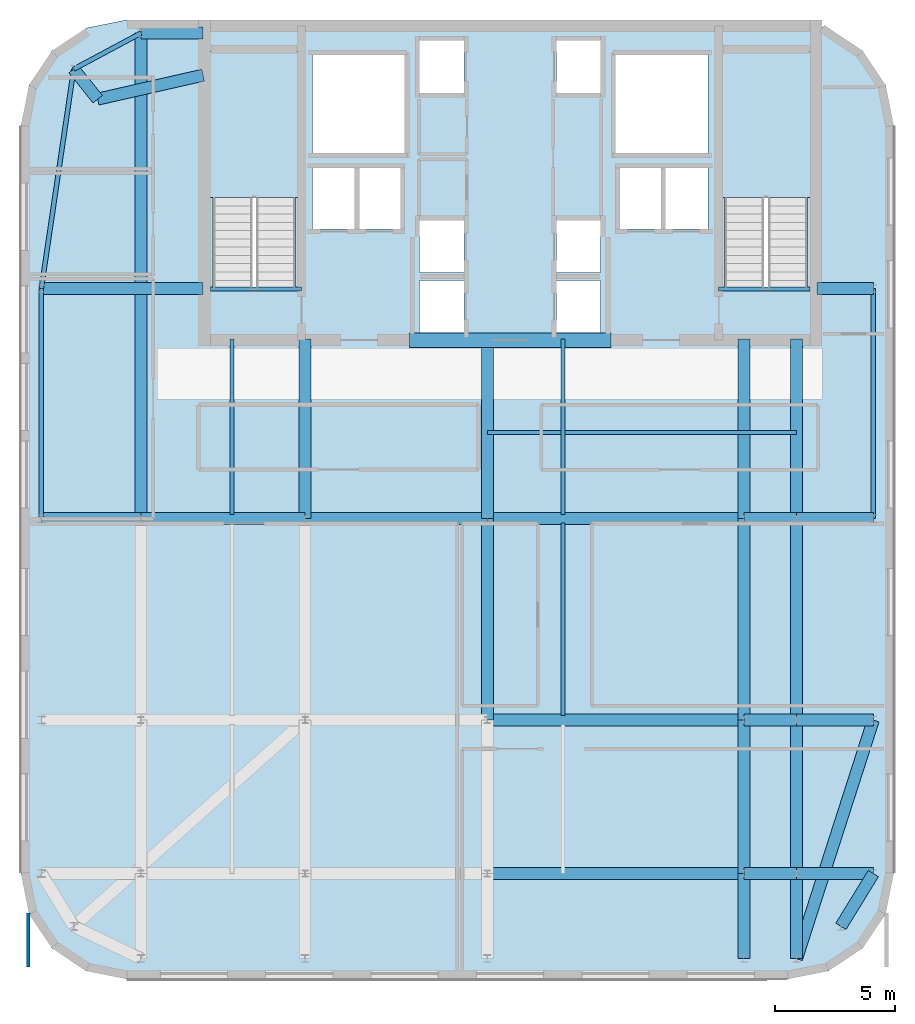
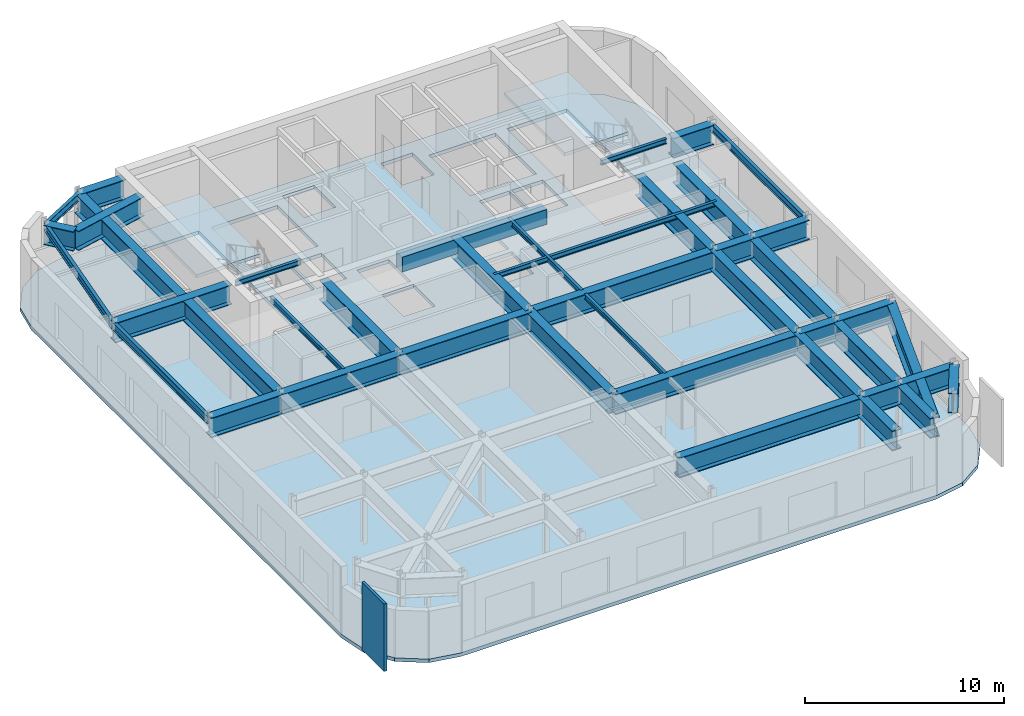
# One storey, part 5 of 13: 42 beams, 3 slabs, 1 wall, 2 elements without a shape of their own.
"""IFC4 building model written with IfcOpenShell, lengths in metres."""

import ifcopenshell
import ifcopenshell.guid

model = None  # the IFC model being written
_history = None  # IfcOwnerHistory: only IFC2X3 demands one
_inside = {}  # id of a spatial element -> (the spatial element, [elements in it])
_under = {}  # id of a project, library or spatial element -> (it, [spatial elements below it])
_declared = {}  # id of a project -> (the project, [libraries it declares])
_typed = {}  # id of a type object -> (the type object, [elements of that type])
_made_of = {}  # id of a material, layer set ... -> (it, [elements and type objects made of it])


def new_model(schema):
    """Start an empty IFC model of exactly this schema.

    Asked for "IFC4X3", IfcOpenShell would pick the latest addendum, in which some entities
    have other attributes; the version numbers below select the first issue.
    IFC2X3 requires an IfcOwnerHistory on every rooted entity: one is made here for all.
    """
    global model, _history
    if schema == "IFC4X3":
        model = ifcopenshell.file(schema_version=(4, 3, 0, 0))
    else:
        model = ifcopenshell.file(schema=schema)
    _inside.clear()
    _under.clear()
    _declared.clear()
    _typed.clear()
    _made_of.clear()
    _history = None
    if model.schema == "IFC2X3":
        org = make("IfcOrganization", Name="unknown")
        user = make(
            "IfcPersonAndOrganization",
            ThePerson=make("IfcPerson", FamilyName="unknown"),
            TheOrganization=org,
        )
        app = make(
            "IfcApplication",
            ApplicationDeveloper=org,
            Version="unknown",
            ApplicationFullName="unknown",
            ApplicationIdentifier="unknown",
        )
        _history = make(
            "IfcOwnerHistory",
            OwningUser=user,
            OwningApplication=app,
            ChangeAction="ADDED",
            CreationDate=0,
        )
    return model


def make(cls, **values):
    """One entity of the class cls with the attributes given. An attribute that is None is left unset."""
    return model.create_entity(
        cls, **{name: value for name, value in values.items() if value is not None}
    )


def rooted(cls, **values):
    """An entity with a GlobalId (a new one), such as an element, a storey or a relation."""
    return make(cls, GlobalId=ifcopenshell.guid.new(), OwnerHistory=_history, **values)


def si_unit(unit_type, name, prefix=None):
    """IfcSIUnit, for example si_unit("LENGTHUNIT", "METRE", prefix="MILLI")."""
    return make("IfcSIUnit", UnitType=unit_type, Prefix=prefix, Name=name)


def assignment(units):
    """IfcUnitAssignment: the units of a project."""
    return None if units is None else make("IfcUnitAssignment", Units=units)


def point(xyz):
    """IfcCartesianPoint."""
    return None if xyz is None else make("IfcCartesianPoint", Coordinates=xyz)


def direction(xyz):
    """IfcDirection."""
    return None if xyz is None else make("IfcDirection", DirectionRatios=xyz)


def frame(location, z_axis=None, x_axis=None):
    """IfcAxis2Placement3D, a coordinate frame: its origin and axes. An axis left out is left unset."""
    return make(
        "IfcAxis2Placement3D",
        Location=point(location),
        Axis=direction(z_axis),
        RefDirection=direction(x_axis),
    )


def frame_2d(location, x_axis=None):
    """IfcAxis2Placement2D, a coordinate frame in the plane: its origin and x axis."""
    return make(
        "IfcAxis2Placement2D", Location=point(location), RefDirection=direction(x_axis)
    )


def origin():
    """The frame at (0, 0, 0) with its axes left unset."""
    return frame((0.0, 0.0, 0.0))


def origin_2d():
    """The frame at (0, 0) in the plane with its x axis left unset."""
    return frame_2d((0.0, 0.0))


def place(relative_to, where):
    """IfcLocalPlacement: puts the frame where relative to a parent placement (None: the world)."""
    return make(
        "IfcLocalPlacement", PlacementRelTo=relative_to, RelativePlacement=where
    )


def context(
    kind, dimensions, precision=None, world=None, true_north=None, identifier=None
):
    """IfcGeometricRepresentationContext, for example the 3D "Model" context."""
    return make(
        "IfcGeometricRepresentationContext",
        ContextIdentifier=identifier,
        ContextType=kind,
        CoordinateSpaceDimension=dimensions,
        Precision=precision,
        WorldCoordinateSystem=world,
        TrueNorth=true_north,
    )


def subcontext(parent, identifier, kind, view, scale=None):
    """IfcGeometricRepresentationSubContext, for example "Body" below "Model"."""
    return make(
        "IfcGeometricRepresentationSubContext",
        ContextIdentifier=identifier,
        ContextType=kind,
        ParentContext=parent,
        TargetScale=scale,
        TargetView=view,
    )


def project(units=None, contexts=None):
    """IfcProject with its units and contexts."""
    return rooted(
        "IfcProject",
        Name="project",
        RepresentationContexts=contexts,
        UnitsInContext=assignment(units),
    )


def spatial(cls, under=None, at=None, **own):
    """A site, building, storey or space (cls), placed at a placement, below another one or the project."""
    s = rooted(cls, ObjectPlacement=at, **own)
    if under is not None:
        _under.setdefault(under.id(), (under, []))[1].append(s)
    return s


def polyline(points):
    """IfcPolyline through the points."""
    return make("IfcPolyline", Points=[point(p) for p in points])


def profile(cls, at=None, kind="AREA", **sizes):
    """A parametric profile (cls). Its sizes go by their IFC names, for example OverallWidth=200.0."""
    return make(cls, ProfileType=kind, Position=at, **sizes)


def rectangle(**sizes):
    """IfcRectangleProfileDef."""
    return profile("IfcRectangleProfileDef", **sizes)


def i_section(**sizes):
    """IfcIShapeProfileDef."""
    return profile("IfcIShapeProfileDef", **sizes)


def outline(outer, holes=None, kind="AREA"):
    """IfcArbitraryClosedProfileDef: a profile drawn as a closed curve; with holes, ...WithVoids."""
    if holes is None:
        return make("IfcArbitraryClosedProfileDef", ProfileType=kind, OuterCurve=outer)
    return make(
        "IfcArbitraryProfileDefWithVoids",
        ProfileType=kind,
        OuterCurve=outer,
        InnerCurves=holes,
    )


def extrude(swept, where, along, depth):
    """IfcExtrudedAreaSolid: the profile swept, set in the frame where, extruded along a direction by depth."""
    return make(
        "IfcExtrudedAreaSolid",
        SweptArea=swept,
        Position=where,
        ExtrudedDirection=direction(along),
        Depth=depth,
    )


def shape(context_of_items, identifier, shape_type, items):
    """IfcShapeRepresentation: the items that make up one representation, for example the "Body"."""
    return make(
        "IfcShapeRepresentation",
        ContextOfItems=context_of_items,
        RepresentationIdentifier=identifier,
        RepresentationType=shape_type,
        Items=items,
    )


def source(mapping_origin, context_of_items, identifier, shape_type, items):
    """IfcRepresentationMap: a shape defined once, which mapped items show again and again."""
    return make(
        "IfcRepresentationMap",
        MappingOrigin=mapping_origin,
        MappedRepresentation=shape(context_of_items, identifier, shape_type, items),
    )


def transform(
    local_origin,
    x_axis=None,
    y_axis=None,
    z_axis=None,
    scale=None,
    scale2=None,
    scale3=None,
    uniform=True,
):
    """IfcCartesianTransformationOperator3D, or its non-uniform kind. x_axis, y_axis, z_axis: its Axis1, 2, 3."""
    if uniform:
        return make(
            "IfcCartesianTransformationOperator3D",
            Axis1=direction(x_axis),
            Axis2=direction(y_axis),
            LocalOrigin=point(local_origin),
            Scale=scale,
            Axis3=direction(z_axis),
        )
    return make(
        "IfcCartesianTransformationOperator3DnonUniform",
        Axis1=direction(x_axis),
        Axis2=direction(y_axis),
        LocalOrigin=point(local_origin),
        Scale=scale,
        Axis3=direction(z_axis),
        Scale2=scale2,
        Scale3=scale3,
    )


def mapped(mapping_source, mapping_target):
    """IfcMappedItem: shows the shape of a source again, moved by a transform."""
    return make(
        "IfcMappedItem", MappingSource=mapping_source, MappingTarget=mapping_target
    )


def material(Name=None, Category=None):
    """IfcMaterial."""
    return make("IfcMaterial", Name=Name, Category=Category)


def layer(
    of_material, thickness, ventilated=None, Name=None, Category=None, Priority=None
):
    """IfcMaterialLayer: one layer of a wall or slab, of a material (None: an air gap)."""
    return make(
        "IfcMaterialLayer",
        Material=of_material,
        LayerThickness=thickness,
        IsVentilated=ventilated,
        Name=Name,
        Category=Category,
        Priority=Priority,
    )


def layer_set(layers, Name=None):
    """IfcMaterialLayerSet."""
    return make("IfcMaterialLayerSet", MaterialLayers=layers, LayerSetName=Name)


def material_profile(
    of_material, cross_section, Name=None, Category=None, Priority=None
):
    """IfcMaterialProfile: a cross section and its material."""
    return make(
        "IfcMaterialProfile",
        Name=Name,
        Material=of_material,
        Profile=cross_section,
        Priority=Priority,
        Category=Category,
    )


def profile_set(profiles, Name=None, composite=None):
    """IfcMaterialProfileSet."""
    return make(
        "IfcMaterialProfileSet",
        Name=Name,
        MaterialProfiles=profiles,
        CompositeProfile=composite,
    )


def made_of(thing, what):
    """Note that an element or type object is made of a material, layer set ...; save() writes the relation."""
    if what is not None:
        _made_of.setdefault(what.id(), (what, []))[1].append(thing)
    return thing


def type_object(cls, material=None, **own):
    """A type object (cls), such as IfcWallType, which elements share."""
    return made_of(rooted(cls, **own), material)


def type_shapes(of_type, sources):
    """Give a type object the sources (RepresentationMaps) that its elements show as mapped items."""
    of_type.RepresentationMaps = sources


def element(
    cls,
    number,
    at=None,
    inside=None,
    cuts=None,
    type_object=None,
    material=None,
    context=None,
    identifier="Body",
    shape_type=None,
    held_by="IfcProductDefinitionShape",
    body=None,
    shapes=None,
    **own,
):
    """One element of the class cls, such as IfcWall. Its Tag is "e" and its number.

    at: its placement. inside: the storey or other place that contains it. cuts: it is an
    opening in that element (IfcRelVoidsElement). A single representation is given by context,
    identifier, shape_type and body (its items); several are given by shapes. held_by: the class
    of the entity that holds the representations. save() writes the other relations.
    """
    e = rooted(cls, Tag="e%d" % number, ObjectPlacement=at, **own)
    if body is not None:
        shapes = [shape(context, identifier, shape_type, body)]
    if shapes is not None:
        e.Representation = make(held_by, Representations=shapes)
    if inside is not None:
        _inside.setdefault(inside.id(), (inside, []))[1].append(e)
    if cuts is not None:
        rooted(
            "IfcRelVoidsElement", RelatingBuildingElement=cuts, RelatedOpeningElement=e
        )
    if type_object is not None:
        _typed.setdefault(type_object.id(), (type_object, []))[1].append(e)
    return made_of(e, material)


def aggregate(whole, parts):
    """IfcRelAggregates: a whole, such as a stair, and the parts it consists of."""
    return rooted("IfcRelAggregates", RelatingObject=whole, RelatedObjects=parts)


def save(model, path):
    """Write the relations noted so far, then the file.

    IfcRelAggregates (storeys below a building ...), IfcRelContainedInSpatialStructure (elements
    in a storey), IfcRelDefinesByType, IfcRelAssociatesMaterial and IfcRelDeclares: one each for
    every whole, place, type object, material and project.
    """
    for whole, parts in _under.values():
        aggregate(whole, parts)
    for where, things in _inside.values():
        rooted(
            "IfcRelContainedInSpatialStructure",
            RelatedElements=things,
            RelatingStructure=where,
        )
    for kind, things in _typed.values():
        rooted("IfcRelDefinesByType", RelatedObjects=things, RelatingType=kind)
    for what, things in _made_of.values():
        rooted("IfcRelAssociatesMaterial", RelatedObjects=things, RelatingMaterial=what)
    for by, libraries in _declared.values():
        rooted("IfcRelDeclares", RelatingContext=by, RelatedDefinitions=libraries)
    model.write(path)


model = new_model("IFC4")

# Units and contexts
model_context = context("Model", 3, precision=1e-05, world=origin(), true_north=direction((0.0, 1.0)))
body_context = subcontext(model_context, "Body", "Model", "MODEL_VIEW")
ifc_project = project(units=[si_unit("LENGTHUNIT", "METRE"), si_unit("AREAUNIT", "SQUARE_METRE"), si_unit("VOLUMEUNIT", "CUBIC_METRE"), si_unit("PLANEANGLEUNIT", "RADIAN"), si_unit("MASSUNIT", "GRAM", prefix="KILO")], contexts=[model_context])

# Site, building, storey
site_placement = place(None, origin())
site = spatial("IfcSite", under=ifc_project, at=site_placement, CompositionType="ELEMENT")
building_placement = place(site_placement, origin())
building = spatial("IfcBuilding", under=site, at=building_placement, Name="Tolvann Quenvar Hotel", CompositionType="ELEMENT")
storey_placement = place(building_placement, frame((0.0, 0.0, 286.550048828125)))
storey = spatial("IfcBuildingStorey", under=building, at=storey_placement, Name="L76", CompositionType="ELEMENT", Elevation=286.550048828125)

# Beams
ifc_material_1 = material(Name="Concrete N50 (50 MPa)", Category="concrete")
ifc_material_profile_1 = material_profile(ifc_material_1, rectangle(XDim=0.60009765625, YDim=0.89990234375, at=origin_2d()), Name="RC600x900")
ifc_profile_set_1 = profile_set([ifc_material_profile_1], Name="Concrete N50 (50 MPa)")
beam_type_1 = type_object("IfcBeamType", Name="BM_LINT_RC600x900", PredefinedType="LINTEL", material=ifc_profile_set_1)
shared_shape_1 = source(origin(), body_context, "Body", "SweptSolid", [
    extrude(rectangle(XDim=0.60009765625, YDim=0.89990234375, at=origin_2d()), origin(), (0.0, 0.0, 1.0), 8.39990234375),
])
type_shapes(beam_type_1, [shared_shape_1])
beam_1_placement = place(storey_placement, frame((18.800048828125, 31.85009765625, 3.68994140625), z_axis=(1.0, 0.0, 0.0), x_axis=(0.0, 1.0, 0.0)))
element("IfcBeam", 1, at=beam_1_placement, inside=storey, type_object=beam_type_1, Name="Core Coupling Lintel Beam (L76)", PredefinedType="LINTEL", context=body_context, shape_type="MappedRepresentation", body=[
    mapped(shared_shape_1, transform((0.0, 0.0, 0.0), x_axis=(1.0, 0.0, 0.0), y_axis=(0.0, 1.0, 0.0), z_axis=(0.0, 0.0, 1.0), scale=1.0)),
])
ifc_material_2 = material(Name="Steel Grade 350", Category="steel")
ifc_material_profile_2 = material_profile(ifc_material_2, i_section(OverallWidth=0.5, OverallDepth=1.199951171875, WebThickness=0.01611328125, FlangeThickness=0.0400390625, at=origin_2d()), Name="1200WB455")
ifc_profile_set_2 = profile_set([ifc_material_profile_2], Name="Steel Grade 350")
beam_type_2 = type_object("IfcBeamType", Name="BM_TG_1200WB455", PredefinedType="USERDEFINED", material=ifc_profile_set_2)
shared_shape_2 = source(origin(), body_context, "Body", "SweptSolid", [
    extrude(i_section(OverallWidth=0.5, OverallDepth=1.199951171875, WebThickness=0.01611328125, FlangeThickness=0.0400390625, at=origin_2d()), origin(), (0.0, 0.0, 1.0), 7.5),
])
for number, where, z_axis, x_axis, name in (
    (2, (14.449951171875, 24.39990234375, 3.5400390625), (0.0, 1.0, 0.0), (-1.0, 0.0, 0.0), "BM-L76-CORE-D5"),
    (3, (22.050048828125, 24.39990234375, 3.5400390625), (0.0, 1.0, 0.0), (-1.0, 0.0, 0.0), "BM-L76-CORE-E5"),
    (4, (34.949951171875, 24.39990234375, 3.5400390625), (0.0, 1.0, 0.0), (-1.0, 0.0, 0.0), "BM-L76-CORE-F5"),
    (5, (32.75, 24.39990234375, 3.5400390625), (0.0, 1.0, 0.0), (-1.0, 0.0, 0.0), "BM-L76-CORE-FP5"),
):
    element("IfcBeam", number, at=place(storey_placement, frame(where, z_axis=z_axis, x_axis=x_axis)), inside=storey, type_object=beam_type_2, Name=name, ObjectType="TRANSFER GIRDER", PredefinedType="USERDEFINED", context=body_context, shape_type="MappedRepresentation", body=[
        mapped(shared_shape_2, transform((0.0, 0.0, 0.0), x_axis=(1.0, 0.0, 0.0), y_axis=(0.0, 1.0, 0.0), z_axis=(0.0, 0.0, 1.0), scale=1.0)),
    ])
shared_shape_3 = source(origin(), body_context, "Body", "SweptSolid", [
    extrude(i_section(OverallWidth=0.5, OverallDepth=1.199951171875, WebThickness=0.01611328125, FlangeThickness=0.0400390625, at=origin_2d()), origin(), (0.0, 0.0, 1.0), 6.75),
])
beam_2_placement = place(storey_placement, frame((3.449951171875, 34.0, 3.5400390625), z_axis=(1.0, 0.0, 0.0), x_axis=(0.0, 1.0, 0.0)))
element("IfcBeam", 6, at=beam_2_placement, inside=storey, type_object=beam_type_2, Name="Setback Transfer Girder L76-BD6", ObjectType="TRANSFER GIRDER", PredefinedType="USERDEFINED", context=body_context, shape_type="MappedRepresentation", body=[
    mapped(shared_shape_3, transform((0.0, 0.0, 0.0), x_axis=(1.0, 0.0, 0.0), y_axis=(0.0, 1.0, 0.0), z_axis=(0.0, 0.0, 1.0), scale=1.0)),
])
shared_shape_4 = source(origin(), body_context, "Body", "SweptSolid", [
    extrude(i_section(OverallWidth=0.5, OverallDepth=1.199951171875, WebThickness=0.01611328125, FlangeThickness=0.0400390625, at=origin_2d()), origin(), (0.0, 0.0, 1.0), 3.550048828125),
])
for number, where, z_axis, x_axis, name in (
    (7, (32.75, 6.050048828125, 3.5400390625), (0.0, 1.0, 0.0), (-1.0, 0.0, 0.0), "Setback Transfer Girder L76-FP2"),
    (8, (34.949951171875, 6.050048828125, 3.5400390625), (0.0, 1.0, 0.0), (-1.0, 0.0, 0.0), "BM-L76-NS-F2-F3"),
):
    element("IfcBeam", number, at=place(storey_placement, frame(where, z_axis=z_axis, x_axis=x_axis)), inside=storey, type_object=beam_type_2, Name=name, ObjectType="TRANSFER GIRDER", PredefinedType="USERDEFINED", context=body_context, shape_type="MappedRepresentation", body=[
        mapped(shared_shape_4, transform((0.0, 0.0, 0.0), x_axis=(1.0, 0.0, 0.0), y_axis=(0.0, 1.0, 0.0), z_axis=(0.0, 0.0, 1.0), scale=1.0)),
    ])
shared_shape_5 = source(origin(), body_context, "Body", "SweptSolid", [
    extrude(i_section(OverallWidth=0.5, OverallDepth=1.199951171875, WebThickness=0.01611328125, FlangeThickness=0.0400390625, at=origin_2d()), origin(), (0.0, 0.0, 1.0), 2.199951171875),
])
for number, where, z_axis, x_axis, name in (
    (9, (32.75, 9.60009765625, 3.5400390625), (1.0, 0.0, 0.0), (0.0, 1.0, 0.0), "BM-L76-EW-3-FP3-F3"),
    (10, (32.75, 16.0, 3.5400390625), (1.0, 0.0, 0.0), (0.0, 1.0, 0.0), "BM-L76-EW-4-FP4-F4"),
    (11, (32.75, 24.39990234375, 3.5400390625), (1.0, 0.0, 0.0), (0.0, 1.0, 0.0), "BM-L76-EW-5-FP5-F5"),
):
    element("IfcBeam", number, at=place(storey_placement, frame(where, z_axis=z_axis, x_axis=x_axis)), inside=storey, type_object=beam_type_2, Name=name, ObjectType="TRANSFER GIRDER", PredefinedType="USERDEFINED", context=body_context, shape_type="MappedRepresentation", body=[
        mapped(shared_shape_5, transform((0.0, 0.0, 0.0), x_axis=(1.0, 0.0, 0.0), y_axis=(0.0, 1.0, 0.0), z_axis=(0.0, 0.0, 1.0), scale=1.0)),
    ])
shared_shape_6 = source(origin(), body_context, "Body", "SweptSolid", [
    extrude(i_section(OverallWidth=0.5, OverallDepth=1.199951171875, WebThickness=0.01611328125, FlangeThickness=0.0400390625, at=origin_2d()), origin(), (0.0, 0.0, 1.0), 2.599853515625),
])
beam_3_placement = place(storey_placement, frame((7.60009765625, 44.64990234375, 3.5400390625), z_axis=(1.0, 0.0, 0.0), x_axis=(0.0, 1.0, 0.0)))
element("IfcBeam", 12, at=beam_3_placement, inside=storey, type_object=beam_type_2, Name="BM-L76-CTW-CN", ObjectType="TRANSFER GIRDER", PredefinedType="USERDEFINED", context=body_context, shape_type="MappedRepresentation", body=[
    mapped(shared_shape_6, transform((0.0, 0.0, 0.0), x_axis=(1.0, 0.0, 0.0), y_axis=(0.0, 1.0, 0.0), z_axis=(0.0, 0.0, 1.0), scale=1.0)),
])
ifc_material_profile_3 = material_profile(ifc_material_2, i_section(OverallWidth=0.166015625, OverallDepth=0.306884765625, WebThickness=0.006591796875, FlangeThickness=0.01171875, FilletRadius=0.011474609375, at=origin_2d()), Name="310UB46")
ifc_profile_set_3 = profile_set([ifc_material_profile_3], Name="Steel Grade 350")
beam_type_3 = type_object("IfcBeamType", Name="BM_JOIST_310UB46", PredefinedType="JOIST", material=ifc_profile_set_3)
shared_shape_7 = source(origin(), body_context, "Body", "SweptSolid", [
    extrude(i_section(OverallWidth=0.166015625, OverallDepth=0.306884765625, WebThickness=0.006591796875, FlangeThickness=0.01171875, FilletRadius=0.011474609375, at=origin_2d()), origin(), (0.0, 0.0, 1.0), 3.800048828125),
])
for number, where, z_axis, x_axis, name in (
    (13, (10.5, 33.97998046875, 3.986572265625), (1.0, 0.0, 0.0), (0.0, 1.0, 0.0), "BM-HDR-STC1-L77"),
    (14, (31.699951171875, 33.97998046875, 3.986572265625), (1.0, 0.0, 0.0), (0.0, 1.0, 0.0), "BM-HDR-STC2-L77"),
):
    element("IfcBeam", number, at=place(storey_placement, frame(where, z_axis=z_axis, x_axis=x_axis)), inside=storey, type_object=beam_type_3, Name=name, PredefinedType="JOIST", context=body_context, shape_type="MappedRepresentation", body=[
        mapped(shared_shape_7, transform((0.0, 0.0, 0.0), x_axis=(1.0, 0.0, 0.0), y_axis=(0.0, 1.0, 0.0), z_axis=(0.0, 0.0, 1.0), scale=1.0)),
    ])
shared_shape_8 = source(origin(), body_context, "Body", "SweptSolid", [
    extrude(i_section(OverallWidth=0.5, OverallDepth=1.199951171875, WebThickness=0.01611328125, FlangeThickness=0.0400390625, at=origin_2d()), origin(), (0.0, 0.0, 1.0), 4.150146484375),
])
beam_4_placement = place(storey_placement, frame((3.449951171875, 24.39990234375, 3.5400390625), z_axis=(1.0, 0.0, 0.0), x_axis=(0.0, 1.0, 0.0)))
element("IfcBeam", 15, at=beam_4_placement, inside=storey, type_object=beam_type_2, Name="Setback Transfer Girder L76-B5", ObjectType="TRANSFER GIRDER", PredefinedType="USERDEFINED", context=body_context, shape_type="MappedRepresentation", body=[
    mapped(shared_shape_8, transform((0.0, 0.0, 0.0), x_axis=(1.0, 0.0, 0.0), y_axis=(0.0, 1.0, 0.0), z_axis=(0.0, 0.0, 1.0), scale=1.0)),
])
shared_shape_9 = source(origin(), body_context, "Body", "SweptSolid", [
    extrude(i_section(OverallWidth=0.5, OverallDepth=1.199951171875, WebThickness=0.01611328125, FlangeThickness=0.0400390625, at=origin_2d()), origin(), (0.0, 0.0, 1.0), 8.39990234375),
])
for number, where, z_axis, x_axis, name in (
    (16, (22.050048828125, 16.0, 3.5400390625), (0.0, 1.0, 0.0), (-1.0, 0.0, 0.0), "BM-L76-NS-E4-E5"),
    (17, (34.949951171875, 16.0, 3.5400390625), (0.0, 1.0, 0.0), (-1.0, 0.0, 0.0), "BM-L76-NS-F4-F5"),
    (18, (32.75, 16.0, 3.5400390625), (0.0, 1.0, 0.0), (-1.0, 0.0, 0.0), "BM-L76-NS-FP4-FP5"),
):
    element("IfcBeam", number, at=place(storey_placement, frame(where, z_axis=z_axis, x_axis=x_axis)), inside=storey, type_object=beam_type_2, Name=name, ObjectType="TRANSFER GIRDER", PredefinedType="USERDEFINED", context=body_context, shape_type="MappedRepresentation", body=[
        mapped(shared_shape_9, transform((0.0, 0.0, 0.0), x_axis=(1.0, 0.0, 0.0), y_axis=(0.0, 1.0, 0.0), z_axis=(0.0, 0.0, 1.0), scale=1.0)),
    ])
ifc_material_profile_4 = material_profile(ifc_material_2, i_section(OverallWidth=0.19091796875, OverallDepth=0.4599609375, WebThickness=0.010009765625, FlangeThickness=0.01611328125, FilletRadius=0.011474609375, at=origin_2d()), Name="460UB82")
ifc_profile_set_4 = profile_set([ifc_material_profile_4], Name="Steel Grade 350")
beam_type_4 = type_object("IfcBeamType", Name="BM_SPAND_460UB82", PredefinedType="SPANDREL", material=ifc_profile_set_4)
shared_shape_10 = source(origin(), body_context, "Body", "SweptSolid", [
    extrude(i_section(OverallWidth=0.19091796875, OverallDepth=0.4599609375, WebThickness=0.010009765625, FlangeThickness=0.01611328125, FilletRadius=0.011474609375, at=origin_2d()), origin(), (0.0, 0.0, 1.0), 9.60009765625),
])
for number, where, z_axis, x_axis, name in (
    (19, (3.449951171875, 24.39990234375, 3.909912109375), (0.0, 1.0, 0.0), (-1.0, 0.0, 0.0), "BM-L76-FLK-W1"),
    (20, (38.14990234375, 24.39990234375, 3.909912109375), (0.0, 1.0, 0.0), (-1.0, 0.0, 0.0), "BM-L76-FLK-G1"),
):
    element("IfcBeam", number, at=place(storey_placement, frame(where, z_axis=z_axis, x_axis=x_axis)), inside=storey, type_object=beam_type_4, Name=name, PredefinedType="SPANDREL", context=body_context, shape_type="MappedRepresentation", body=[
        mapped(shared_shape_10, transform((0.0, 0.0, 0.0), x_axis=(1.0, 0.0, 0.0), y_axis=(0.0, 1.0, 0.0), z_axis=(0.0, 0.0, 1.0), scale=1.0)),
    ])
shared_shape_11 = source(origin(), body_context, "Body", "SweptSolid", [
    extrude(i_section(OverallWidth=0.5, OverallDepth=1.199951171875, WebThickness=0.01611328125, FlangeThickness=0.0400390625, at=origin_2d()), origin(), (0.0, 0.0, 1.0), 6.849853515625),
])
beam_5_placement = place(storey_placement, frame((7.60009765625, 24.39990234375, 3.5400390625), z_axis=(1.0, 0.0, 0.0), x_axis=(0.0, 1.0, 0.0)))
element("IfcBeam", 21, at=beam_5_placement, inside=storey, type_object=beam_type_2, Name="BM-L76-EW-5-C5-D5", ObjectType="TRANSFER GIRDER", PredefinedType="USERDEFINED", context=body_context, shape_type="MappedRepresentation", body=[
    mapped(shared_shape_11, transform((0.0, 0.0, 0.0), x_axis=(1.0, 0.0, 0.0), y_axis=(0.0, 1.0, 0.0), z_axis=(0.0, 0.0, 1.0), scale=1.0)),
])
shared_shape_12 = source(origin(), body_context, "Body", "SweptSolid", [
    extrude(i_section(OverallWidth=0.5, OverallDepth=1.199951171875, WebThickness=0.01611328125, FlangeThickness=0.0400390625, at=origin_2d()), origin(), (0.0, 0.0, 1.0), 3.199951171875),
])
for number, where, z_axis, x_axis, name in (
    (22, (34.949951171875, 16.0, 3.5400390625), (1.0, 0.0, 0.0), (0.0, 1.0, 0.0), "Setback Transfer Girder L76-G4"),
    (23, (34.949951171875, 24.39990234375, 3.5400390625), (1.0, 0.0, 0.0), (0.0, 1.0, 0.0), "Setback Transfer Girder L76-G5"),
    (24, (34.949951171875, 9.60009765625, 3.5400390625), (1.0, 0.0, 0.0), (0.0, 1.0, 0.0), "BM-L76-EW-3-F3-G3"),
):
    element("IfcBeam", number, at=place(storey_placement, frame(where, z_axis=z_axis, x_axis=x_axis)), inside=storey, type_object=beam_type_2, Name=name, ObjectType="TRANSFER GIRDER", PredefinedType="USERDEFINED", context=body_context, shape_type="MappedRepresentation", body=[
        mapped(shared_shape_12, transform((0.0, 0.0, 0.0), x_axis=(1.0, 0.0, 0.0), y_axis=(0.0, 1.0, 0.0), z_axis=(0.0, 0.0, 1.0), scale=1.0)),
    ])
shared_shape_13 = source(origin(), body_context, "Body", "SweptSolid", [
    extrude(i_section(OverallWidth=0.5, OverallDepth=1.199951171875, WebThickness=0.01611328125, FlangeThickness=0.0400390625, at=origin_2d()), origin(), (0.0, 0.0, 1.0), 7.60009765625),
])
beam_6_placement = place(storey_placement, frame((14.449951171875, 24.39990234375, 3.5400390625), z_axis=(1.0, 0.0, 0.0), x_axis=(0.0, 1.0, 0.0)))
element("IfcBeam", 25, at=beam_6_placement, inside=storey, type_object=beam_type_2, Name="BM-L76-EW-5-D5-E5", ObjectType="TRANSFER GIRDER", PredefinedType="USERDEFINED", context=body_context, shape_type="MappedRepresentation", body=[
    mapped(shared_shape_13, transform((0.0, 0.0, 0.0), x_axis=(1.0, 0.0, 0.0), y_axis=(0.0, 1.0, 0.0), z_axis=(0.0, 0.0, 1.0), scale=1.0)),
])
shared_shape_14 = source(origin(), body_context, "Body", "SweptSolid", [
    extrude(i_section(OverallWidth=0.19091796875, OverallDepth=0.4599609375, WebThickness=0.010009765625, FlangeThickness=0.01611328125, FilletRadius=0.011474609375, at=origin_2d()), origin(), (0.0, 0.0, 1.0), 9.2490234375),
])
beam_7_placement = place(storey_placement, frame((3.449951171875, 34.0, 3.909912109375), z_axis=(0.145972731602, 0.989288613918, 0.0), x_axis=(-0.989288613918, 0.145972731602, 0.0)))
element("IfcBeam", 26, at=beam_7_placement, inside=storey, type_object=beam_type_4, Name="BM-L76-FLK-W2", PredefinedType="SPANDREL", context=body_context, shape_type="MappedRepresentation", body=[
    mapped(shared_shape_14, transform((0.0, 0.0, 0.0), x_axis=(1.0, 0.0, 0.0), y_axis=(0.0, 1.0, 0.0), z_axis=(0.0, 0.0, 1.0), scale=1.0)),
])
shared_shape_15 = source(origin(), body_context, "Body", "SweptSolid", [
    extrude(i_section(OverallWidth=0.19091796875, OverallDepth=0.4599609375, WebThickness=0.010009765625, FlangeThickness=0.01611328125, FilletRadius=0.011474609375, at=origin_2d()), origin(), (0.0, 0.0, 1.0), 3.176513671875),
])
type_shapes(beam_type_4, [shared_shape_10, shared_shape_14, shared_shape_15])
beam_8_placement = place(storey_placement, frame((4.800048828125, 43.14990234375, 3.909912109375), z_axis=(0.881483397762, 0.472215014025, 0.0), x_axis=(-0.472215014025, 0.881483397762, 0.0)))
element("IfcBeam", 27, at=beam_8_placement, inside=storey, type_object=beam_type_4, Name="BM-L76-FLK-W3", PredefinedType="SPANDREL", context=body_context, shape_type="MappedRepresentation", body=[
    mapped(shared_shape_15, transform((0.0, 0.0, 0.0), x_axis=(1.0, 0.0, 0.0), y_axis=(0.0, 1.0, 0.0), z_axis=(0.0, 0.0, 1.0), scale=1.0)),
])
shared_shape_16 = source(origin(), body_context, "Body", "SweptSolid", [
    extrude(i_section(OverallWidth=0.5, OverallDepth=1.199951171875, WebThickness=0.01611328125, FlangeThickness=0.0400390625, at=origin_2d()), origin(), (0.0, 0.0, 1.0), 20.25),
])
beam_9_placement = place(storey_placement, frame((7.60009765625, 24.39990234375, 3.5400390625), z_axis=(0.0, 1.0, 0.0), x_axis=(-1.0, 0.0, 0.0)))
element("IfcBeam", 28, at=beam_9_placement, inside=storey, type_object=beam_type_2, Name="BM-L76-FLK-WC", ObjectType="TRANSFER GIRDER", PredefinedType="USERDEFINED", context=body_context, shape_type="MappedRepresentation", body=[
    mapped(shared_shape_16, transform((0.0, 0.0, 0.0), x_axis=(1.0, 0.0, 0.0), y_axis=(0.0, 1.0, 0.0), z_axis=(0.0, 0.0, 1.0), scale=1.0)),
])
shared_shape_17 = source(origin(), body_context, "Body", "SweptSolid", [
    extrude(i_section(OverallWidth=0.5, OverallDepth=1.199951171875, WebThickness=0.01611328125, FlangeThickness=0.0400390625, at=origin_2d()), origin(), (0.0, 0.0, 1.0), 2.349853515625),
])
beam_10_placement = place(storey_placement, frame((38.14990234375, 34.0, 3.5400390625), z_axis=(-1.0, 0.0, 0.0), x_axis=(0.0, -1.0, 0.0)))
element("IfcBeam", 29, at=beam_10_placement, inside=storey, type_object=beam_type_2, Name="Setback Transfer Girder L76-GD6", ObjectType="TRANSFER GIRDER", PredefinedType="USERDEFINED", context=body_context, shape_type="MappedRepresentation", body=[
    mapped(shared_shape_17, transform((0.0, 0.0, 0.0), x_axis=(1.0, 0.0, 0.0), y_axis=(0.0, 1.0, 0.0), z_axis=(0.0, 0.0, 1.0), scale=1.0)),
])
shared_shape_18 = source(origin(), body_context, "Body", "SweptSolid", [
    extrude(i_section(OverallWidth=0.166015625, OverallDepth=0.306884765625, WebThickness=0.006591796875, FlangeThickness=0.01171875, FilletRadius=0.011474609375, at=origin_2d()), origin(), (0.0, 0.0, 1.0), 12.89990234375),
])
beam_11_placement = place(storey_placement, frame((22.050048828125, 28.0, 3.986572265625), z_axis=(1.0, 0.0, 0.0), x_axis=(0.0, 1.0, 0.0)))
element("IfcBeam", 30, at=beam_11_placement, inside=storey, type_object=beam_type_3, Name="BM-L76-SPINE-28", PredefinedType="JOIST", context=body_context, shape_type="MappedRepresentation", body=[
    mapped(shared_shape_18, transform((0.0, 0.0, 0.0), x_axis=(1.0, 0.0, 0.0), y_axis=(0.0, 1.0, 0.0), z_axis=(0.0, 0.0, 1.0), scale=1.0)),
])
shared_shape_19 = source(origin(), body_context, "Body", "SweptSolid", [
    extrude(i_section(OverallWidth=0.166015625, OverallDepth=0.306884765625, WebThickness=0.006591796875, FlangeThickness=0.01171875, FilletRadius=0.011474609375, at=origin_2d()), origin(), (0.0, 0.0, 1.0), 8.030029296875),
])
beam_12_placement = place(storey_placement, frame((25.199951171875, 16.18505859375, 3.986572265625), z_axis=(0.0, 1.0, 0.0), x_axis=(-1.0, 0.0, 0.0)))
element("IfcBeam", 31, at=beam_12_placement, inside=storey, type_object=beam_type_3, Name="BJ-L76-252-160", PredefinedType="JOIST", context=body_context, shape_type="MappedRepresentation", body=[
    mapped(shared_shape_19, transform((0.0, 0.0, 0.0), x_axis=(1.0, 0.0, 0.0), y_axis=(0.0, 1.0, 0.0), z_axis=(0.0, 0.0, 1.0), scale=1.0)),
])
shared_shape_20 = source(origin(), body_context, "Body", "SweptSolid", [
    extrude(i_section(OverallWidth=0.166015625, OverallDepth=0.306884765625, WebThickness=0.006591796875, FlangeThickness=0.01171875, FilletRadius=0.011474609375, at=origin_2d()), origin(), (0.0, 0.0, 1.0), 7.31494140625),
])
type_shapes(beam_type_3, [shared_shape_7, shared_shape_18, shared_shape_19, shared_shape_20])
for number, where, z_axis, x_axis, name in (
    (32, (11.39990234375, 24.5849609375, 3.986572265625), (0.0, 1.0, 0.0), (-1.0, 0.0, 0.0), "BJ-L76-114-244"),
    (33, (25.199951171875, 24.5849609375, 3.986572265625), (0.0, 1.0, 0.0), (-1.0, 0.0, 0.0), "BJ-L76-252-244"),
):
    element("IfcBeam", number, at=place(storey_placement, frame(where, z_axis=z_axis, x_axis=x_axis)), inside=storey, type_object=beam_type_3, Name=name, PredefinedType="JOIST", context=body_context, shape_type="MappedRepresentation", body=[
        mapped(shared_shape_20, transform((0.0, 0.0, 0.0), x_axis=(1.0, 0.0, 0.0), y_axis=(0.0, 1.0, 0.0), z_axis=(0.0, 0.0, 1.0), scale=1.0)),
    ])
shared_shape_21 = source(origin(), body_context, "Body", "SweptSolid", [
    extrude(i_section(OverallWidth=0.5, OverallDepth=1.199951171875, WebThickness=0.01611328125, FlangeThickness=0.0400390625, at=origin_2d()), origin(), (0.0, 0.0, 1.0), 10.699951171875),
])
for number, where, z_axis, x_axis, name in (
    (34, (22.050048828125, 9.60009765625, 3.5400390625), (1.0, 0.0, 0.0), (0.0, 1.0, 0.0), "BM-L76-EW-3-E3-FP3"),
    (35, (22.050048828125, 16.0, 3.5400390625), (1.0, 0.0, 0.0), (0.0, 1.0, 0.0), "BM-L76-EW-4-E4-FP4"),
    (36, (22.050048828125, 24.39990234375, 3.5400390625), (1.0, 0.0, 0.0), (0.0, 1.0, 0.0), "BM-L76-EW-5-E5-FP5"),
):
    element("IfcBeam", number, at=place(storey_placement, frame(where, z_axis=z_axis, x_axis=x_axis)), inside=storey, type_object=beam_type_2, Name=name, ObjectType="TRANSFER GIRDER", PredefinedType="USERDEFINED", context=body_context, shape_type="MappedRepresentation", body=[
        mapped(shared_shape_21, transform((0.0, 0.0, 0.0), x_axis=(1.0, 0.0, 0.0), y_axis=(0.0, 1.0, 0.0), z_axis=(0.0, 0.0, 1.0), scale=1.0)),
    ])
shared_shape_22 = source(origin(), body_context, "Body", "SweptSolid", [
    extrude(i_section(OverallWidth=0.5, OverallDepth=1.199951171875, WebThickness=0.01611328125, FlangeThickness=0.0400390625, at=origin_2d()), origin(), (0.0, 0.0, 1.0), 2.581298828125),
])
beam_13_placement = place(storey_placement, frame((36.800048828125, 7.39990234375, 3.5400390625), z_axis=(0.522941262414, 0.852368720722, 0.0), x_axis=(-0.852368720722, 0.522941262414, 0.0)))
element("IfcBeam", 37, at=beam_13_placement, inside=storey, type_object=beam_type_2, Name="BM-L76-NS-G2-G3", ObjectType="TRANSFER GIRDER", PredefinedType="USERDEFINED", context=body_context, shape_type="MappedRepresentation", body=[
    mapped(shared_shape_22, transform((0.0, 0.0, 0.0), x_axis=(1.0, 0.0, 0.0), y_axis=(0.0, 1.0, 0.0), z_axis=(0.0, 0.0, 1.0), scale=1.0)),
])
shared_shape_23 = source(origin(), body_context, "Body", "SweptSolid", [
    extrude(i_section(OverallWidth=0.5, OverallDepth=1.199951171875, WebThickness=0.01611328125, FlangeThickness=0.0400390625, at=origin_2d()), origin(), (0.0, 0.0, 1.0), 6.39990234375),
])
for number, where, z_axis, x_axis, name in (
    (38, (34.949951171875, 9.60009765625, 3.5400390625), (0.0, 1.0, 0.0), (-1.0, 0.0, 0.0), "BM-L76-NS-F3-F4"),
    (39, (32.75, 9.60009765625, 3.5400390625), (0.0, 1.0, 0.0), (-1.0, 0.0, 0.0), "BM-L76-NS-FP3-FP4"),
):
    element("IfcBeam", number, at=place(storey_placement, frame(where, z_axis=z_axis, x_axis=x_axis)), inside=storey, type_object=beam_type_2, Name=name, ObjectType="TRANSFER GIRDER", PredefinedType="USERDEFINED", context=body_context, shape_type="MappedRepresentation", body=[
        mapped(shared_shape_23, transform((0.0, 0.0, 0.0), x_axis=(1.0, 0.0, 0.0), y_axis=(0.0, 1.0, 0.0), z_axis=(0.0, 0.0, 1.0), scale=1.0)),
    ])
shared_shape_24 = source(origin(), body_context, "Body", "SweptSolid", [
    extrude(i_section(OverallWidth=0.5, OverallDepth=1.199951171875, WebThickness=0.01611328125, FlangeThickness=0.0400390625, at=origin_2d()), origin(), (0.0, 0.0, 1.0), 10.451904296875),
])
beam_14_placement = place(storey_placement, frame((34.949951171875, 6.050048828125, 3.5400390625), z_axis=(0.30616115593, 0.951979698628, 0.0), x_axis=(-0.951979698628, 0.30616115593, 0.0)))
element("IfcBeam", 40, at=beam_14_placement, inside=storey, type_object=beam_type_2, Name="Setback Transfer Girder L76-G2", ObjectType="TRANSFER GIRDER", PredefinedType="USERDEFINED", context=body_context, shape_type="MappedRepresentation", body=[
    mapped(shared_shape_24, transform((0.0, 0.0, 0.0), x_axis=(1.0, 0.0, 0.0), y_axis=(0.0, 1.0, 0.0), z_axis=(0.0, 0.0, 1.0), scale=1.0)),
])
shared_shape_25 = source(origin(), body_context, "Body", "SweptSolid", [
    extrude(i_section(OverallWidth=0.5, OverallDepth=1.199951171875, WebThickness=0.01611328125, FlangeThickness=0.0400390625, at=origin_2d()), origin(), (0.0, 0.0, 1.0), 1.600830078125),
])
beam_15_placement = place(storey_placement, frame((4.800048828125, 43.14990234375, 3.5400390625), z_axis=(0.624695047554, -0.780868809443, 0.0), x_axis=(0.780868809443, 0.624695047554, 0.0)))
element("IfcBeam", 41, at=beam_15_placement, inside=storey, type_object=beam_type_2, Name="TG-AUTO1-L76-BN-11", ObjectType="TRANSFER GIRDER", PredefinedType="USERDEFINED", context=body_context, shape_type="MappedRepresentation", body=[
    mapped(shared_shape_25, transform((0.0, 0.0, 0.0), x_axis=(1.0, 0.0, 0.0), y_axis=(0.0, 1.0, 0.0), z_axis=(0.0, 0.0, 1.0), scale=1.0)),
])
shared_shape_26 = source(origin(), body_context, "Body", "SweptSolid", [
    extrude(i_section(OverallWidth=0.5, OverallDepth=1.199951171875, WebThickness=0.01611328125, FlangeThickness=0.0400390625, at=origin_2d()), origin(), (0.0, 0.0, 1.0), 4.51220703125),
])
type_shapes(beam_type_2, [shared_shape_2, shared_shape_3, shared_shape_4, shared_shape_5, shared_shape_6, shared_shape_8, shared_shape_9, shared_shape_11, shared_shape_12, shared_shape_13, shared_shape_16, shared_shape_17, shared_shape_21, shared_shape_22, shared_shape_23, shared_shape_24, shared_shape_25, shared_shape_26])
beam_16_placement = place(storey_placement, frame((5.800048828125, 41.89990234375, 3.5400390625), z_axis=(0.975131792758, 0.221625780886, 0.0), x_axis=(-0.221625780886, 0.975131792758, 0.0)))
element("IfcBeam", 42, at=beam_16_placement, inside=storey, type_object=beam_type_2, Name="TG-AUTO2-L76-BN-11", ObjectType="TRANSFER GIRDER", PredefinedType="USERDEFINED", context=body_context, shape_type="MappedRepresentation", body=[
    mapped(shared_shape_26, transform((0.0, 0.0, 0.0), x_axis=(1.0, 0.0, 0.0), y_axis=(0.0, 1.0, 0.0), z_axis=(0.0, 0.0, 1.0), scale=1.0)),
])

# Stair, slab
ifc_material_3 = material(Name="Concrete N40 (40 MPa)", Category="concrete")
stair_type = type_object("IfcStairType", Name="STAIR", PredefinedType="HALF_TURN_STAIR", material=ifc_material_3)
stair_1_placement = place(storey_placement, origin())
stair_1 = element("IfcStair", 43, at=stair_1_placement, inside=storey, type_object=stair_type, Name="L76 ST-C1", PredefinedType="HALF_TURN_STAIR")
ifc_layer_1 = layer(ifc_material_3, 0.199951171875)
ifc_layer_set_1 = layer_set([ifc_layer_1], Name="Concrete N40 (40 MPa)")
slab_type_1 = type_object("IfcSlabType", Name="SLAB_LANDING", PredefinedType="LANDING", material=ifc_layer_set_1)
slab_1_placement = place(storey_placement, frame((0.0, 0.0, 2.0)))
slab_1 = element("IfcSlab", 44, at=slab_1_placement, type_object=slab_type_1, Name="ST-C1 landing 1", PredefinedType="LANDING", context=body_context, shape_type="SweptSolid", body=[
    extrude(outline(polyline([(14.179931640625, 37.794921875), (14.179931640625, 43.8798828125), (10.469970703125, 43.8798828125), (10.469970703125, 37.794921875), (14.179931640625, 37.794921875)])), origin(), (0.0, 0.0, 1.0), 0.199951171875),
])
aggregate(stair_1, [slab_1])

stair_2_placement = place(storey_placement, origin())
stair_2 = element("IfcStair", 45, at=stair_2_placement, inside=storey, type_object=stair_type, Name="L76 ST-C2", PredefinedType="HALF_TURN_STAIR")
slab_2_placement = place(storey_placement, frame((0.0, 0.0, 2.0)))
slab_2 = element("IfcSlab", 46, at=slab_2_placement, type_object=slab_type_1, Name="ST-C2 landing 1", PredefinedType="LANDING", context=body_context, shape_type="SweptSolid", body=[
    extrude(outline(polyline([(35.530029296875, 37.794921875), (35.530029296875, 43.8798828125), (31.820068359375, 43.8798828125), (31.820068359375, 37.794921875), (35.530029296875, 37.794921875)])), origin(), (0.0, 0.0, 1.0), 0.199951171875),
])
aggregate(stair_2, [slab_2])

# Slab
ifc_layer_2 = layer(ifc_material_1, 0.219970703125)
ifc_layer_set_2 = layer_set([ifc_layer_2], Name="Concrete N50 (50 MPa)")
slab_type_2 = type_object("IfcSlabType", Name="SLAB_UPR_220", PredefinedType="FLOOR", material=ifc_layer_set_2)
slab_3_placement = place(storey_placement, frame((0.0, 0.0, -0.219970703125)))
element("IfcSlab", 47, at=slab_3_placement, inside=storey, type_object=slab_type_2, Name="Level L76 Structural Floor Slab", PredefinedType="FLOOR", context=body_context, shape_type="SweptSolid", body=[
    extrude(outline(polyline([(2.60009765625, 9.60009765625), (2.934814453125, 7.916259765625), (3.888671875, 6.48876953125), (5.316162109375, 5.534912109375), (7.0, 5.199951171875), (34.60009765625, 5.199951171875), (36.28369140625, 5.534912109375), (37.711181640625, 6.48876953125), (38.6650390625, 7.916259765625), (39.0, 9.60009765625), (39.0, 40.800048828125), (38.6650390625, 42.48388671875), (37.711181640625, 43.911376953125), (36.28369140625, 44.864990234375), (34.60009765625, 45.199951171875), (7.0, 45.199951171875), (5.316162109375, 44.864990234375), (3.888671875, 43.911376953125), (2.934814453125, 42.48388671875), (2.60009765625, 40.800048828125), (2.60009765625, 9.60009765625)]), holes=[polyline([(31.949951171875, 34.02490234375), (31.949951171875, 43.800048828125), (35.39990234375, 43.800048828125), (35.39990234375, 34.02490234375), (31.949951171875, 34.02490234375)]), polyline([(27.39990234375, 43.75), (31.25, 43.75), (31.25, 39.64990234375), (27.39990234375, 39.64990234375), (27.39990234375, 43.75)]), polyline([(29.449951171875, 39.02001953125), (31.25, 39.02001953125), (31.25, 36.47998046875), (29.449951171875, 36.47998046875), (29.449951171875, 39.02001953125)]), polyline([(27.574951171875, 39.02001953125), (29.324951171875, 39.02001953125), (29.324951171875, 36.47998046875), (27.574951171875, 36.47998046875), (27.574951171875, 39.02001953125)]), polyline([(24.929931640625, 36.840087890625), (26.77001953125, 36.840087890625), (26.77001953125, 34.659912109375), (24.929931640625, 34.659912109375), (24.929931640625, 36.840087890625)]), polyline([(24.929931640625, 44.340087890625), (26.77001953125, 44.340087890625), (26.77001953125, 42.159912109375), (24.929931640625, 42.159912109375), (24.929931640625, 44.340087890625)]), polyline([(24.929931640625, 32.159912109375), (24.929931640625, 34.340087890625), (26.77001953125, 34.340087890625), (26.77001953125, 32.159912109375), (24.929931640625, 32.159912109375)]), polyline([(19.22998046875, 36.840087890625), (21.070068359375, 36.840087890625), (21.070068359375, 34.659912109375), (19.22998046875, 34.659912109375), (19.22998046875, 36.840087890625)]), polyline([(19.22998046875, 44.340087890625), (21.070068359375, 44.340087890625), (21.070068359375, 42.159912109375), (19.22998046875, 42.159912109375), (19.22998046875, 44.340087890625)]), polyline([(19.22998046875, 32.159912109375), (19.22998046875, 34.340087890625), (21.070068359375, 34.340087890625), (21.070068359375, 32.159912109375), (19.22998046875, 32.159912109375)]), polyline([(14.75, 43.75), (18.60009765625, 43.75), (18.60009765625, 39.64990234375), (14.75, 39.64990234375), (14.75, 43.75)]), polyline([(16.675048828125, 39.02001953125), (18.425048828125, 39.02001953125), (18.425048828125, 36.47998046875), (16.675048828125, 36.47998046875), (16.675048828125, 39.02001953125)]), polyline([(14.75, 39.02001953125), (16.550048828125, 39.02001953125), (16.550048828125, 36.47998046875), (14.75, 36.47998046875), (14.75, 39.02001953125)]), polyline([(10.60009765625, 34.02490234375), (10.60009765625, 43.800048828125), (14.050048828125, 43.800048828125), (14.050048828125, 34.02490234375), (10.60009765625, 34.02490234375)])]), origin(), (0.0, 0.0, 1.0), 0.219970703125),
])

# Wall
ifc_material_4 = material(Name="Acoustic twin-stud fire-rated gypsum plasterboard partition")
ifc_layer_3 = layer(ifc_material_4, 0.14990234375)
ifc_layer_set_3 = layer_set([ifc_layer_3], Name="Acoustic twin-stud fire-rated gypsum plasterboard partition")
wall_type = type_object("IfcWallType", Name="WALL_PART_SUITE_150", PredefinedType="PARTITIONING", material=ifc_layer_set_3)
wall_placement = place(storey_placement, frame((2.89990234375, 5.699951171875, 0.0), z_axis=(0.0, 0.0, 1.0), x_axis=(0.0, 1.0, 0.0)))
element("IfcWall", 48, at=wall_placement, inside=storey, type_object=wall_type, Name="Interior Partition PT-SPC-L76-DIN-W", PredefinedType="PARTITIONING", context=body_context, shape_type="SweptSolid", body=[
    extrude(rectangle(XDim=2.2451171875, YDim=0.14990234375, at=frame_2d((1.12255859375, 0.0))), origin(), (0.0, 0.0, 1.0), 4.139892578125),
])

save(model, "model.ifc")
